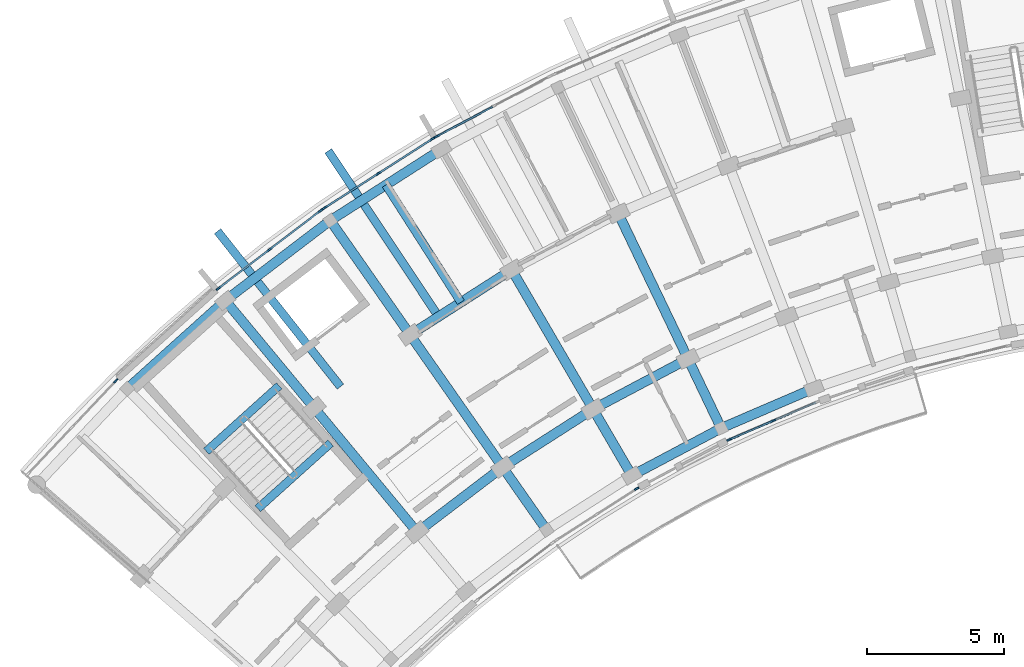
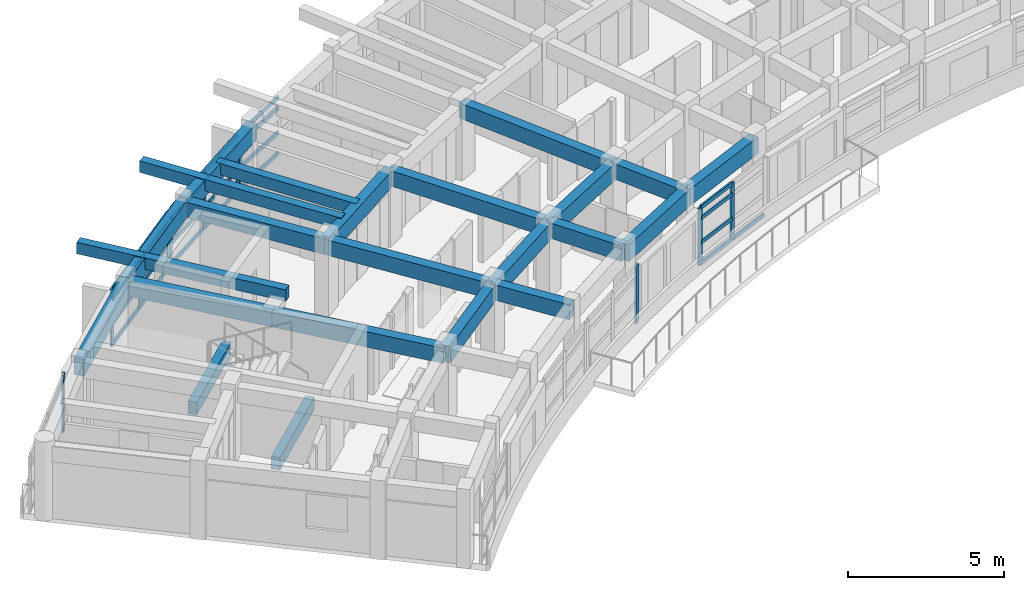
# One storey, part 4 of 54: 36 members, 23 beams, 6 elements without a shape of their own.
"""IFC4 building model written with IfcOpenShell, lengths in metres."""

import ifcopenshell
import ifcopenshell.guid

model = None  # the IFC model being written
_history = None  # IfcOwnerHistory: only IFC2X3 demands one
_inside = {}  # id of a spatial element -> (the spatial element, [elements in it])
_under = {}  # id of a project, library or spatial element -> (it, [spatial elements below it])
_declared = {}  # id of a project -> (the project, [libraries it declares])
_typed = {}  # id of a type object -> (the type object, [elements of that type])
_made_of = {}  # id of a material, layer set ... -> (it, [elements and type objects made of it])


def new_model(schema):
    """Start an empty IFC model of exactly this schema.

    Asked for "IFC4X3", IfcOpenShell would pick the latest addendum, in which some entities
    have other attributes; the version numbers below select the first issue.
    IFC2X3 requires an IfcOwnerHistory on every rooted entity: one is made here for all.
    """
    global model, _history
    if schema == "IFC4X3":
        model = ifcopenshell.file(schema_version=(4, 3, 0, 0))
    else:
        model = ifcopenshell.file(schema=schema)
    _inside.clear()
    _under.clear()
    _declared.clear()
    _typed.clear()
    _made_of.clear()
    _history = None
    if model.schema == "IFC2X3":
        org = make("IfcOrganization", Name="unknown")
        user = make(
            "IfcPersonAndOrganization",
            ThePerson=make("IfcPerson", FamilyName="unknown"),
            TheOrganization=org,
        )
        app = make(
            "IfcApplication",
            ApplicationDeveloper=org,
            Version="unknown",
            ApplicationFullName="unknown",
            ApplicationIdentifier="unknown",
        )
        _history = make(
            "IfcOwnerHistory",
            OwningUser=user,
            OwningApplication=app,
            ChangeAction="ADDED",
            CreationDate=0,
        )
    return model


def make(cls, **values):
    """One entity of the class cls with the attributes given. An attribute that is None is left unset."""
    return model.create_entity(
        cls, **{name: value for name, value in values.items() if value is not None}
    )


def rooted(cls, **values):
    """An entity with a GlobalId (a new one), such as an element, a storey or a relation."""
    return make(cls, GlobalId=ifcopenshell.guid.new(), OwnerHistory=_history, **values)


def si_unit(unit_type, name, prefix=None):
    """IfcSIUnit, for example si_unit("LENGTHUNIT", "METRE", prefix="MILLI")."""
    return make("IfcSIUnit", UnitType=unit_type, Prefix=prefix, Name=name)


def assignment(units):
    """IfcUnitAssignment: the units of a project."""
    return None if units is None else make("IfcUnitAssignment", Units=units)


def point(xyz):
    """IfcCartesianPoint."""
    return None if xyz is None else make("IfcCartesianPoint", Coordinates=xyz)


def direction(xyz):
    """IfcDirection."""
    return None if xyz is None else make("IfcDirection", DirectionRatios=xyz)


def frame(location, z_axis=None, x_axis=None):
    """IfcAxis2Placement3D, a coordinate frame: its origin and axes. An axis left out is left unset."""
    return make(
        "IfcAxis2Placement3D",
        Location=point(location),
        Axis=direction(z_axis),
        RefDirection=direction(x_axis),
    )


def frame_2d(location, x_axis=None):
    """IfcAxis2Placement2D, a coordinate frame in the plane: its origin and x axis."""
    return make(
        "IfcAxis2Placement2D", Location=point(location), RefDirection=direction(x_axis)
    )


def origin():
    """The frame at (0, 0, 0) with its axes left unset."""
    return frame((0.0, 0.0, 0.0))


def origin_2d():
    """The frame at (0, 0) in the plane with its x axis left unset."""
    return frame_2d((0.0, 0.0))


def place(relative_to, where):
    """IfcLocalPlacement: puts the frame where relative to a parent placement (None: the world)."""
    return make(
        "IfcLocalPlacement", PlacementRelTo=relative_to, RelativePlacement=where
    )


def context(
    kind, dimensions, precision=None, world=None, true_north=None, identifier=None
):
    """IfcGeometricRepresentationContext, for example the 3D "Model" context."""
    return make(
        "IfcGeometricRepresentationContext",
        ContextIdentifier=identifier,
        ContextType=kind,
        CoordinateSpaceDimension=dimensions,
        Precision=precision,
        WorldCoordinateSystem=world,
        TrueNorth=true_north,
    )


def subcontext(parent, identifier, kind, view, scale=None):
    """IfcGeometricRepresentationSubContext, for example "Body" below "Model"."""
    return make(
        "IfcGeometricRepresentationSubContext",
        ContextIdentifier=identifier,
        ContextType=kind,
        ParentContext=parent,
        TargetScale=scale,
        TargetView=view,
    )


def project(units=None, contexts=None):
    """IfcProject with its units and contexts."""
    return rooted(
        "IfcProject",
        Name="project",
        RepresentationContexts=contexts,
        UnitsInContext=assignment(units),
    )


def spatial(cls, under=None, at=None, **own):
    """A site, building, storey or space (cls), placed at a placement, below another one or the project."""
    s = rooted(cls, ObjectPlacement=at, **own)
    if under is not None:
        _under.setdefault(under.id(), (under, []))[1].append(s)
    return s


def profile(cls, at=None, kind="AREA", **sizes):
    """A parametric profile (cls). Its sizes go by their IFC names, for example OverallWidth=200.0."""
    return make(cls, ProfileType=kind, Position=at, **sizes)


def rectangle(**sizes):
    """IfcRectangleProfileDef."""
    return profile("IfcRectangleProfileDef", **sizes)


def extrude(swept, where, along, depth):
    """IfcExtrudedAreaSolid: the profile swept, set in the frame where, extruded along a direction by depth."""
    return make(
        "IfcExtrudedAreaSolid",
        SweptArea=swept,
        Position=where,
        ExtrudedDirection=direction(along),
        Depth=depth,
    )


def shape(context_of_items, identifier, shape_type, items):
    """IfcShapeRepresentation: the items that make up one representation, for example the "Body"."""
    return make(
        "IfcShapeRepresentation",
        ContextOfItems=context_of_items,
        RepresentationIdentifier=identifier,
        RepresentationType=shape_type,
        Items=items,
    )


def material(Name=None, Category=None):
    """IfcMaterial."""
    return make("IfcMaterial", Name=Name, Category=Category)


def material_profile(
    of_material, cross_section, Name=None, Category=None, Priority=None
):
    """IfcMaterialProfile: a cross section and its material."""
    return make(
        "IfcMaterialProfile",
        Name=Name,
        Material=of_material,
        Profile=cross_section,
        Priority=Priority,
        Category=Category,
    )


def profile_set(profiles, Name=None, composite=None):
    """IfcMaterialProfileSet."""
    return make(
        "IfcMaterialProfileSet",
        Name=Name,
        MaterialProfiles=profiles,
        CompositeProfile=composite,
    )


def made_of(thing, what):
    """Note that an element or type object is made of a material, layer set ...; save() writes the relation."""
    if what is not None:
        _made_of.setdefault(what.id(), (what, []))[1].append(thing)
    return thing


def type_object(cls, material=None, **own):
    """A type object (cls), such as IfcWallType, which elements share."""
    return made_of(rooted(cls, **own), material)


def element(
    cls,
    number,
    at=None,
    inside=None,
    cuts=None,
    type_object=None,
    material=None,
    context=None,
    identifier="Body",
    shape_type=None,
    held_by="IfcProductDefinitionShape",
    body=None,
    shapes=None,
    **own,
):
    """One element of the class cls, such as IfcWall. Its Tag is "e" and its number.

    at: its placement. inside: the storey or other place that contains it. cuts: it is an
    opening in that element (IfcRelVoidsElement). A single representation is given by context,
    identifier, shape_type and body (its items); several are given by shapes. held_by: the class
    of the entity that holds the representations. save() writes the other relations.
    """
    e = rooted(cls, Tag="e%d" % number, ObjectPlacement=at, **own)
    if body is not None:
        shapes = [shape(context, identifier, shape_type, body)]
    if shapes is not None:
        e.Representation = make(held_by, Representations=shapes)
    if inside is not None:
        _inside.setdefault(inside.id(), (inside, []))[1].append(e)
    if cuts is not None:
        rooted(
            "IfcRelVoidsElement", RelatingBuildingElement=cuts, RelatedOpeningElement=e
        )
    if type_object is not None:
        _typed.setdefault(type_object.id(), (type_object, []))[1].append(e)
    return made_of(e, material)


def aggregate(whole, parts):
    """IfcRelAggregates: a whole, such as a stair, and the parts it consists of."""
    return rooted("IfcRelAggregates", RelatingObject=whole, RelatedObjects=parts)


def save(model, path):
    """Write the relations noted so far, then the file.

    IfcRelAggregates (storeys below a building ...), IfcRelContainedInSpatialStructure (elements
    in a storey), IfcRelDefinesByType, IfcRelAssociatesMaterial and IfcRelDeclares: one each for
    every whole, place, type object, material and project.
    """
    for whole, parts in _under.values():
        aggregate(whole, parts)
    for where, things in _inside.values():
        rooted(
            "IfcRelContainedInSpatialStructure",
            RelatedElements=things,
            RelatingStructure=where,
        )
    for kind, things in _typed.values():
        rooted("IfcRelDefinesByType", RelatedObjects=things, RelatingType=kind)
    for what, things in _made_of.values():
        rooted("IfcRelAssociatesMaterial", RelatedObjects=things, RelatingMaterial=what)
    for by, libraries in _declared.values():
        rooted("IfcRelDeclares", RelatingContext=by, RelatedDefinitions=libraries)
    model.write(path)


model = new_model("IFC4")

# Units and contexts
model_context = context("Model", 3, precision=1e-05, world=origin(), true_north=direction((0.0, 1.0)))
body_context = subcontext(model_context, "Body", "Model", "MODEL_VIEW")
ifc_project = project(units=[si_unit("LENGTHUNIT", "METRE"), si_unit("AREAUNIT", "SQUARE_METRE"), si_unit("VOLUMEUNIT", "CUBIC_METRE"), si_unit("PLANEANGLEUNIT", "RADIAN"), si_unit("MASSUNIT", "GRAM", prefix="KILO")], contexts=[model_context])

# Site, building, storey
site_placement = place(None, origin())
site = spatial("IfcSite", under=ifc_project, at=site_placement, CompositionType="ELEMENT")
building_placement = place(site_placement, origin())
building = spatial("IfcBuilding", under=site, at=building_placement, Name="Zimvara Arc Housing Community", CompositionType="ELEMENT")
storey_placement = place(building_placement, frame((0.0, 0.0, 23.60009765625)))
storey = spatial("IfcBuildingStorey", under=building, at=storey_placement, Name="L07", CompositionType="ELEMENT", Elevation=23.60009765625)

# Beams
ifc_material_1 = material(Name="Concrete C40/50", Category="concrete")
ifc_material_profile_1 = material_profile(ifc_material_1, rectangle(XDim=0.300048828125, YDim=0.449951171875, at=origin_2d()), Name="RC 300x450")
ifc_profile_set_1 = profile_set([ifc_material_profile_1], Name="Concrete C40/50")
beam_type_1 = type_object("IfcBeamType", Name="BM-RC-300x450", PredefinedType="JOIST", material=ifc_profile_set_1)
beam_1_placement = place(storey_placement, frame((16.0224609375, 89.776123046875, 2.635009765625), z_axis=(-0.539052331508, 0.842272274206, 0.0), x_axis=(-0.842272274206, -0.539052331508, 0.0)))
element("IfcBeam", 1, at=beam_1_placement, inside=storey, type_object=beam_type_1, Name="bm:blkA:L07:joist:b3", PredefinedType="JOIST", context=body_context, shape_type="SweptSolid", body=[
    extrude(rectangle(XDim=0.300048828125, YDim=0.449951171875, at=origin_2d()), origin(), (0.0, 0.0, 1.0), 5.07568359375),
])
for number, where, z_axis, x_axis, name in (
    (2, (11.634033203125, 86.703857421875, 2.664794921875), (-0.620202196013, 0.784441990246, 0.0), (-0.784441990246, -0.620202196013, 0.0), "bm:blkA:L07:cant_out:b2"),
    (3, (15.188720703125, 89.285400390625, 2.664794921875), (-0.554114811637, 0.832440253426, 0.0), (-0.832440253426, -0.554114811637, 0.0), "bm:blkA:L07:cant_out:b3"),
):
    element("IfcBeam", number, at=place(storey_placement, frame(where, z_axis=z_axis, x_axis=x_axis)), inside=storey, type_object=beam_type_1, Name=name, PredefinedType="JOIST", context=body_context, shape_type="SweptSolid", body=[
        extrude(rectangle(XDim=0.300048828125, YDim=0.449951171875, at=origin_2d()), origin(), (0.0, 0.0, 1.0), 7.219970703125),
    ])
ifc_material_2 = material(Name="Concrete C40/50", Category="concrete")
ifc_material_profile_2 = material_profile(ifc_material_2, rectangle(XDim=0.300048828125, YDim=0.5, at=origin_2d()), Name="RC 300x500")
ifc_profile_set_2 = profile_set([ifc_material_profile_2], Name="Concrete C40/50")
beam_type_2 = type_object("IfcBeamType", Name="BM-RC-300x500", PredefinedType="BEAM", material=ifc_profile_set_2)
for number, where, z_axis, x_axis, name in (
    (4, (11.278076171875, 84.64697265625, -0.25), (-0.743362151162, -0.668889162881, 0.0), (0.668889162881, -0.743362151162, 0.0), "bm:stair_trim:ST-A1:L07:near"),
    (5, (9.39990234375, 86.734375, 1.2998046875), (-0.743362151162, -0.668889162881, 0.0), (0.668889162881, -0.743362151162, 0.0), "bm:stair_trim:ST-A1:L07:mid"),
):
    element("IfcBeam", number, at=place(storey_placement, frame(where, z_axis=z_axis, x_axis=x_axis)), inside=storey, type_object=beam_type_2, Name=name, PredefinedType="BEAM", context=body_context, shape_type="SweptSolid", body=[
        extrude(rectangle(XDim=0.300048828125, YDim=0.5, at=origin_2d()), origin(), (0.0, 0.0, 1.0), 3.570068359375),
    ])
ifc_material_3 = material(Name="Concrete C40/50", Category="concrete")
ifc_material_profile_3 = material_profile(ifc_material_3, rectangle(XDim=0.35009765625, YDim=0.60009765625, at=origin_2d()), Name="RC 350x600")
ifc_profile_set_3 = profile_set([ifc_material_profile_3], Name="Concrete C40/50")
beam_type_3 = type_object("IfcBeamType", Name="BM-RC-350x600", PredefinedType="BEAM", material=ifc_profile_set_3)
beam_2_placement = place(storey_placement, frame((14.428955078125, 81.401611328125, 2.559814453125), z_axis=(-0.637955964415, 0.770072845559, 0.0), x_axis=(-0.770072845559, -0.637955964415, 0.0)))
element("IfcBeam", 6, at=beam_2_placement, inside=storey, type_object=beam_type_3, Name="bm:blkA:L07:rad:b2:r12", PredefinedType="BEAM", context=body_context, shape_type="SweptSolid", body=[
    extrude(rectangle(XDim=0.35009765625, YDim=0.60009765625, at=origin_2d()), origin(), (0.0, 0.0, 1.0), 5.880126953125),
])
beam_3_placement = place(storey_placement, frame((10.677734375, 85.9296875, 2.559814453125), z_axis=(-0.637983669165, 0.77004989311, 0.0), x_axis=(-0.77004989311, -0.637983669165, 0.0)))
element("IfcBeam", 7, at=beam_3_placement, inside=storey, type_object=beam_type_3, Name="bm:blkA:L07:rad:b2:r23", PredefinedType="BEAM", context=body_context, shape_type="SweptSolid", body=[
    extrude(rectangle(XDim=0.35009765625, YDim=0.60009765625, at=origin_2d()), origin(), (0.0, 0.0, 1.0), 5.080078125),
])
beam_4_placement = place(storey_placement, frame((19.14599609375, 81.478271484375, 2.559814453125), z_axis=(-0.57297651105, 0.819571789281, 0.0), x_axis=(-0.819571789281, -0.57297651105, 0.0)))
element("IfcBeam", 8, at=beam_4_placement, inside=storey, type_object=beam_type_3, Name="bm:blkA:L07:rad:b3:r01", PredefinedType="BEAM", context=body_context, shape_type="SweptSolid", body=[
    extrude(rectangle(XDim=0.35009765625, YDim=0.60009765625, at=origin_2d()), origin(), (0.0, 0.0, 1.0), 2.7998046875),
])
beam_5_placement = place(storey_placement, frame((17.541748046875, 83.77294921875, 2.559814453125), z_axis=(-0.573027549978, 0.819536104736, 0.0), x_axis=(-0.819536104736, -0.573027549978, 0.0)))
element("IfcBeam", 9, at=beam_5_placement, inside=storey, type_object=beam_type_3, Name="bm:blkA:L07:rad:b3:r12", PredefinedType="BEAM", context=body_context, shape_type="SweptSolid", body=[
    extrude(rectangle(XDim=0.35009765625, YDim=0.60009765625, at=origin_2d()), origin(), (0.0, 0.0, 1.0), 5.8798828125),
])
beam_6_placement = place(storey_placement, frame((14.17236328125, 88.591796875, 2.559814453125), z_axis=(-0.573007469479, 0.819550144848, 0.0), x_axis=(-0.819550144848, -0.573007469479, 0.0)))
element("IfcBeam", 10, at=beam_6_placement, inside=storey, type_object=beam_type_3, Name="bm:blkA:L07:rad:b3:r23", PredefinedType="BEAM", context=body_context, shape_type="SweptSolid", body=[
    extrude(rectangle(XDim=0.35009765625, YDim=0.60009765625, at=origin_2d()), origin(), (0.0, 0.0, 1.0), 5.080078125),
])
beam_7_placement = place(storey_placement, frame((22.249267578125, 83.46435546875, 2.559814453125), z_axis=(-0.504239631668, 0.86356377521, 0.0), x_axis=(-0.86356377521, -0.504239631668, 0.0)))
element("IfcBeam", 11, at=beam_7_placement, inside=storey, type_object=beam_type_3, Name="bm:blkA:L07:rad:b4:r01", PredefinedType="BEAM", context=body_context, shape_type="SweptSolid", body=[
    extrude(rectangle(XDim=0.35009765625, YDim=0.60009765625, at=origin_2d()), origin(), (0.0, 0.0, 1.0), 2.800048828125),
])
beam_8_placement = place(storey_placement, frame((20.83740234375, 85.88232421875, 2.559814453125), z_axis=(-0.504219494781, 0.863575532934, 0.0), x_axis=(-0.863575532934, -0.504219494781, 0.0)))
element("IfcBeam", 12, at=beam_8_placement, inside=storey, type_object=beam_type_3, Name="bm:blkA:L07:rad:b4:r12", PredefinedType="BEAM", context=body_context, shape_type="SweptSolid", body=[
    extrude(rectangle(XDim=0.35009765625, YDim=0.60009765625, at=origin_2d()), origin(), (0.0, 0.0, 1.0), 5.880126953125),
])
beam_9_placement = place(storey_placement, frame((25.50439453125, 85.190673828125, 2.559814453125), z_axis=(-0.432118703138, 0.901816736593, 0.0), x_axis=(-0.901816736593, -0.432118703138, 0.0)))
element("IfcBeam", 13, at=beam_9_placement, inside=storey, type_object=beam_type_3, Name="bm:blkA:L07:rad:b5:r01", PredefinedType="BEAM", context=body_context, shape_type="SweptSolid", body=[
    extrude(rectangle(XDim=0.35009765625, YDim=0.60009765625, at=origin_2d()), origin(), (0.0, 0.0, 1.0), 2.800048828125),
])
beam_10_placement = place(storey_placement, frame((24.29443359375, 87.7158203125, 2.559814453125), z_axis=(-0.432069527705, 0.901840298073, 0.0), x_axis=(-0.901840298073, -0.432069527705, 0.0)))
element("IfcBeam", 14, at=beam_10_placement, inside=storey, type_object=beam_type_3, Name="bm:blkA:L07:rad:b5:r12", PredefinedType="BEAM", context=body_context, shape_type="SweptSolid", body=[
    extrude(rectangle(XDim=0.35009765625, YDim=0.60009765625, at=origin_2d()), origin(), (0.0, 0.0, 1.0), 5.8798828125),
])
ifc_material_4 = material(Name="Concrete C40/50", Category="concrete")
ifc_material_profile_4 = material_profile(ifc_material_4, rectangle(XDim=0.35009765625, YDim=0.64990234375, at=origin_2d()), Name="RC 350x650")
ifc_profile_set_4 = profile_set([ifc_material_profile_4], Name="Concrete C40/50")
beam_type_4 = type_object("IfcBeamType", Name="BM-RC-350x650", PredefinedType="BEAM", material=ifc_profile_set_4)
beam_11_placement = place(storey_placement, frame((22.249267578125, 83.46435546875, 2.534912109375), z_axis=(0.883449220086, 0.468526920815, 0.0), x_axis=(-0.468526920815, 0.883449220086, 0.0)))
element("IfcBeam", 15, at=beam_11_placement, inside=storey, type_object=beam_type_4, Name="bm:blkA:L07:chord:r0:b4", PredefinedType="BEAM", context=body_context, shape_type="SweptSolid", body=[
    extrude(rectangle(XDim=0.35009765625, YDim=0.64990234375, at=origin_2d()), origin(), (0.0, 0.0, 1.0), 3.6845703125),
])
beam_12_placement = place(storey_placement, frame((25.50439453125, 85.190673828125, 2.534912109375), z_axis=(0.918705736243, 0.394942742932, 0.0), x_axis=(-0.394942742932, 0.918705736243, 0.0)))
element("IfcBeam", 16, at=beam_12_placement, inside=storey, type_object=beam_type_4, Name="bm:blkA:L07:chord:r0:b5", PredefinedType="BEAM", context=body_context, shape_type="SweptSolid", body=[
    extrude(rectangle(XDim=0.35009765625, YDim=0.64990234375, at=origin_2d()), origin(), (0.0, 0.0, 1.0), 3.684326171875),
])
beam_13_placement = place(storey_placement, frame((14.428955078125, 81.401611328125, 2.534912109375), z_axis=(0.795470387579, 0.605992460749, 0.0), x_axis=(-0.605992460749, 0.795470387579, 0.0)))
element("IfcBeam", 17, at=beam_13_placement, inside=storey, type_object=beam_type_4, Name="bm:blkA:L07:chord:r1:b2", PredefinedType="BEAM", context=body_context, shape_type="SweptSolid", body=[
    extrude(rectangle(XDim=0.35009765625, YDim=0.64990234375, at=origin_2d()), origin(), (0.0, 0.0, 1.0), 3.9130859375),
])
beam_14_placement = place(storey_placement, frame((17.541748046875, 83.77294921875, 2.534912109375), z_axis=(0.842253269878, 0.539082024724, 0.0), x_axis=(-0.539082024724, 0.842253269878, 0.0)))
element("IfcBeam", 18, at=beam_14_placement, inside=storey, type_object=beam_type_4, Name="bm:blkA:L07:chord:r1:b3", PredefinedType="BEAM", context=body_context, shape_type="SweptSolid", body=[
    extrude(rectangle(XDim=0.35009765625, YDim=0.64990234375, at=origin_2d()), origin(), (0.0, 0.0, 1.0), 3.912841796875),
])
beam_15_placement = place(storey_placement, frame((20.83740234375, 85.88232421875, 2.534912109375), z_axis=(0.883438625159, 0.468546897948, 0.0), x_axis=(-0.468546897948, 0.883438625159, 0.0)))
element("IfcBeam", 19, at=beam_15_placement, inside=storey, type_object=beam_type_4, Name="bm:blkA:L07:chord:r1:b4", PredefinedType="BEAM", context=body_context, shape_type="SweptSolid", body=[
    extrude(rectangle(XDim=0.35009765625, YDim=0.64990234375, at=origin_2d()), origin(), (0.0, 0.0, 1.0), 3.9130859375),
])
beam_16_placement = place(storey_placement, frame((14.17236328125, 88.591796875, 2.534912109375), z_axis=(0.842242131326, 0.539099427025, 0.0), x_axis=(-0.539099427025, 0.842242131326, 0.0)))
element("IfcBeam", 20, at=beam_16_placement, inside=storey, type_object=beam_type_4, Name="bm:blkA:L07:chord:r2:b3", PredefinedType="BEAM", context=body_context, shape_type="SweptSolid", body=[
    extrude(rectangle(XDim=0.35009765625, YDim=0.64990234375, at=origin_2d()), origin(), (0.0, 0.0, 1.0), 4.393310546875),
])
beam_17_placement = place(storey_placement, frame((3.862548828125, 86.625732421875, 2.534912109375), z_axis=(0.743395133402, 0.668852506637, 0.0), x_axis=(-0.668852506637, 0.743395133402, 0.0)))
element("IfcBeam", 21, at=beam_17_placement, inside=storey, type_object=beam_type_4, Name="bm:blkA:L07:chord:r3:b1", PredefinedType="BEAM", context=body_context, shape_type="SweptSolid", body=[
    extrude(rectangle(XDim=0.35009765625, YDim=0.64990234375, at=origin_2d()), origin(), (0.0, 0.0, 1.0), 4.807861328125),
])
beam_18_placement = place(storey_placement, frame((7.436767578125, 89.841552734375, 2.534912109375), z_axis=(0.795480673672, 0.605978958228, 0.0), x_axis=(-0.605978958228, 0.795480673672, 0.0)))
element("IfcBeam", 22, at=beam_18_placement, inside=storey, type_object=beam_type_4, Name="bm:blkA:L07:chord:r3:b2", PredefinedType="BEAM", context=body_context, shape_type="SweptSolid", body=[
    extrude(rectangle(XDim=0.35009765625, YDim=0.64990234375, at=origin_2d()), origin(), (0.0, 0.0, 1.0), 4.80810546875),
])
beam_19_placement = place(storey_placement, frame((11.261474609375, 92.755126953125, 2.534912109375), z_axis=(0.842255724028, 0.539078190379, 0.0), x_axis=(-0.539078190379, 0.842255724028, 0.0)))
element("IfcBeam", 23, at=beam_19_placement, inside=storey, type_object=beam_type_4, Name="bm:blkA:L07:chord:r3:b3", PredefinedType="BEAM", context=body_context, shape_type="SweptSolid", body=[
    extrude(rectangle(XDim=0.35009765625, YDim=0.64990234375, at=origin_2d()), origin(), (0.0, 0.0, 1.0), 4.808349609375),
])

# Curtain wall, member
ifc_material_5 = material(Name="Anodised Aluminium AW-6063", Category="aluminium")
curtain_wall_type_1 = type_object("IfcCurtainWallType", Name="CW-SYS-04", PredefinedType="USERDEFINED", material=ifc_material_5)
curtain_wall_1_placement = place(storey_placement, origin())
curtain_wall_1 = element("IfcCurtainWall", 24, at=curtain_wall_1_placement, inside=storey, type_object=curtain_wall_type_1, Name="cw:blkA:L07:in:b3", ObjectType="CURTAIN WALL", PredefinedType="USERDEFINED")
ifc_material_6 = material(Name="Anodised Aluminium AW-6063", Category="aluminium")
ifc_material_profile_5 = material_profile(ifc_material_6, rectangle(XDim=0.06494140625, YDim=0.179931640625, at=origin_2d()), Name="ALU 65x180")
ifc_profile_set_5 = profile_set([ifc_material_profile_5], Name="Anodised Aluminium AW-6063")
member_type_1 = type_object("IfcMemberType", Name="CWM-65x150", PredefinedType="MULLION", material=ifc_profile_set_5)
member_1_placement = place(storey_placement, frame((22.423583984375, 82.982666015625, 0.0), z_axis=(0.0, 0.0, 1.0), x_axis=(-0.539064085203, 0.842264751752, 0.0)))
member_1 = element("IfcMember", 25, at=member_1_placement, type_object=member_type_1, Name="CW04 mullion 3", PredefinedType="MULLION", context=body_context, shape_type="SweptSolid", body=[
    extrude(rectangle(XDim=0.06494140625, YDim=0.179931640625, at=origin_2d()), origin(), (0.0, 0.0, 1.0), 2.25),
])
aggregate(curtain_wall_1, [member_1])

ifc_material_7 = material(Name="Anodised Aluminium AW-6063", Category="aluminium")
curtain_wall_type_2 = type_object("IfcCurtainWallType", Name="CW-SYS-07", PredefinedType="USERDEFINED", material=ifc_material_7)
curtain_wall_2_placement = place(storey_placement, origin())
curtain_wall_2 = element("IfcCurtainWall", 26, at=curtain_wall_2_placement, inside=storey, type_object=curtain_wall_type_2, Name="cw:blkA:L07:out:b0", ObjectType="CURTAIN WALL", PredefinedType="USERDEFINED")
ifc_material_8 = material(Name="Anodised Aluminium AW-6063", Category="aluminium")
ifc_material_profile_6 = material_profile(ifc_material_8, rectangle(XDim=0.06494140625, YDim=0.195068359375, at=origin_2d()), Name="ALU 65x195")
ifc_profile_set_6 = profile_set([ifc_material_profile_6], Name="Anodised Aluminium AW-6063")
member_type_2 = type_object("IfcMemberType", Name="CWM-65x180", PredefinedType="MULLION", material=ifc_profile_set_6)
member_2_placement = place(storey_placement, frame((3.44970703125, 86.916015625, 0.0), z_axis=(0.0, 0.0, 1.0), x_axis=(-0.727293647725, 0.686326416495, 0.0)))
member_2 = element("IfcMember", 27, at=member_2_placement, type_object=member_type_2, Name="CW07 mullion 3", PredefinedType="MULLION", context=body_context, shape_type="SweptSolid", body=[
    extrude(rectangle(XDim=0.06494140625, YDim=0.195068359375, at=origin_2d()), origin(), (0.0, 0.0, 1.0), 2.25),
])
aggregate(curtain_wall_2, [member_2])

# Curtain wall, members
ifc_material_9 = material(Name="Anodised Aluminium AW-6063", Category="aluminium")
curtain_wall_type_3 = type_object("IfcCurtainWallType", Name="CW-SYS-01", PredefinedType="USERDEFINED", material=ifc_material_9)
curtain_wall_3_placement = place(storey_placement, origin())
curtain_wall_3 = element("IfcCurtainWall", 28, at=curtain_wall_3_placement, inside=storey, type_object=curtain_wall_type_3, Name="cw:blkA:L07:out:b2", ObjectType="CURTAIN WALL", PredefinedType="USERDEFINED")
member_3_placement = place(storey_placement, frame((7.19140625, 90.28271484375, 0.0), z_axis=(0.0, 0.0, 1.0), x_axis=(-0.60598771987, 0.795473999177, 0.0)))
member_3 = element("IfcMember", 29, at=member_3_placement, type_object=member_type_2, Name="CW01 mullion 1", PredefinedType="MULLION", context=body_context, shape_type="SweptSolid", body=[
    extrude(rectangle(XDim=0.06494140625, YDim=0.195068359375, at=origin_2d()), origin(), (0.0, 0.0, 1.0), 2.25),
])
member_4_placement = place(storey_placement, frame((9.04638671875, 91.69580078125, 0.0), z_axis=(0.0, 0.0, 1.0), x_axis=(-0.60598771987, 0.795473999177, 0.0)))
member_4 = element("IfcMember", 30, at=member_4_placement, type_object=member_type_2, Name="CW01 mullion 2", PredefinedType="MULLION", context=body_context, shape_type="SweptSolid", body=[
    extrude(rectangle(XDim=0.06494140625, YDim=0.195068359375, at=origin_2d()), origin(), (0.0, 0.0, 1.0), 2.25),
])
member_5_placement = place(storey_placement, frame((10.9013671875, 93.10888671875, 0.0), z_axis=(0.0, 0.0, 1.0), x_axis=(-0.60598771987, 0.795473999177, 0.0)))
member_5 = element("IfcMember", 31, at=member_5_placement, type_object=member_type_2, Name="CW01 mullion 3", PredefinedType="MULLION", context=body_context, shape_type="SweptSolid", body=[
    extrude(rectangle(XDim=0.06494140625, YDim=0.195068359375, at=origin_2d()), origin(), (0.0, 0.0, 1.0), 2.25),
])

ifc_material_10 = material(Name="Anodised Aluminium AW-6063", Category="aluminium")
curtain_wall_type_4 = type_object("IfcCurtainWallType", Name="CW-SYS-03", PredefinedType="USERDEFINED", material=ifc_material_10)
curtain_wall_4_placement = place(storey_placement, origin())
curtain_wall_4 = element("IfcCurtainWall", 32, at=curtain_wall_4_placement, inside=storey, type_object=curtain_wall_type_4, Name="cw:blkA:L07:out:b3", ObjectType="CURTAIN WALL", PredefinedType="USERDEFINED")
member_6_placement = place(storey_placement, frame((11.052978515625, 93.21484375, 0.0), z_axis=(0.0, 0.0, 1.0), x_axis=(-0.539064617721, 0.842264410931, 0.0)))
member_6 = element("IfcMember", 33, at=member_6_placement, type_object=member_type_2, Name="CW03 mullion 1", PredefinedType="MULLION", context=body_context, shape_type="SweptSolid", body=[
    extrude(rectangle(XDim=0.06494140625, YDim=0.195068359375, at=origin_2d()), origin(), (0.0, 0.0, 1.0), 2.25),
])
member_7_placement = place(storey_placement, frame((13.01708984375, 94.471923828125, 0.0), z_axis=(0.0, 0.0, 1.0), x_axis=(-0.539064617721, 0.842264410931, 0.0)))
member_7 = element("IfcMember", 34, at=member_7_placement, type_object=member_type_2, Name="CW03 mullion 2", PredefinedType="MULLION", context=body_context, shape_type="SweptSolid", body=[
    extrude(rectangle(XDim=0.06494140625, YDim=0.195068359375, at=origin_2d()), origin(), (0.0, 0.0, 1.0), 2.25),
])
member_8_placement = place(storey_placement, frame((14.981201171875, 95.72900390625, 0.0), z_axis=(0.0, 0.0, 1.0), x_axis=(-0.539064617721, 0.842264410931, 0.0)))
member_8 = element("IfcMember", 35, at=member_8_placement, type_object=member_type_2, Name="CW03 mullion 3", PredefinedType="MULLION", context=body_context, shape_type="SweptSolid", body=[
    extrude(rectangle(XDim=0.06494140625, YDim=0.195068359375, at=origin_2d()), origin(), (0.0, 0.0, 1.0), 2.25),
])

# Curtain wall, member
ifc_material_11 = material(Name="Anodised Aluminium AW-6063", Category="aluminium")
curtain_wall_type_5 = type_object("IfcCurtainWallType", Name="CW-SYS-05", PredefinedType="USERDEFINED", material=ifc_material_11)
curtain_wall_5_placement = place(storey_placement, origin())
curtain_wall_5 = element("IfcCurtainWall", 36, at=curtain_wall_5_placement, inside=storey, type_object=curtain_wall_type_5, Name="cw:blkA:L07:out:b4", ObjectType="CURTAIN WALL", PredefinedType="USERDEFINED")
member_9_placement = place(storey_placement, frame((15.140869140625, 95.822265625, 0.0), z_axis=(0.0, 0.0, 1.0), x_axis=(-0.468546917761, 0.883438614651, 0.0)))
member_9 = element("IfcMember", 37, at=member_9_placement, type_object=member_type_2, Name="CW05 mullion 1", PredefinedType="MULLION", context=body_context, shape_type="SweptSolid", body=[
    extrude(rectangle(XDim=0.06494140625, YDim=0.195068359375, at=origin_2d()), origin(), (0.0, 0.0, 1.0), 2.25),
])

# Curtain wall, members
curtain_wall_6_placement = place(storey_placement, origin())
curtain_wall_6 = element("IfcCurtainWall", 38, at=curtain_wall_6_placement, inside=storey, type_object=curtain_wall_type_2, Name="cw:blkA:L07:in:b5", ObjectType="CURTAIN WALL", PredefinedType="USERDEFINED")
member_10_placement = place(storey_placement, frame((25.805419921875, 84.7763671875, 0.0), z_axis=(0.0, 0.0, 1.0), x_axis=(-0.394904493375, 0.918722178415, 0.0)))
member_10 = element("IfcMember", 39, at=member_10_placement, type_object=member_type_2, Name="CW07 mullion 1", PredefinedType="MULLION", context=body_context, shape_type="SweptSolid", body=[
    extrude(rectangle(XDim=0.06494140625, YDim=0.195068359375, at=origin_2d()), origin(), (0.0, 0.0, 1.0), 2.25),
])
member_11_placement = place(storey_placement, frame((27.39404296875, 85.459228515625, 0.0), z_axis=(0.0, 0.0, 1.0), x_axis=(-0.394904493375, 0.918722178415, 0.0)))
member_11 = element("IfcMember", 40, at=member_11_placement, type_object=member_type_2, Name="CW07 mullion 2", PredefinedType="MULLION", context=body_context, shape_type="SweptSolid", body=[
    extrude(rectangle(XDim=0.06494140625, YDim=0.195068359375, at=origin_2d()), origin(), (0.0, 0.0, 1.0), 2.25),
])

# Member
ifc_material_12 = material(Name="Anodised Aluminium AW-6063", Category="aluminium")
ifc_material_profile_7 = material_profile(ifc_material_12, rectangle(XDim=0.06494140625, YDim=0.155029296875, at=origin_2d()), Name="ALU 65x155")
ifc_profile_set_7 = profile_set([ifc_material_profile_7], Name="Anodised Aluminium AW-6063")
member_type_3 = type_object("IfcMemberType", Name="CWT-65x140", PredefinedType="USERDEFINED", material=ifc_profile_set_7)
member_12_placement = place(storey_placement, frame((7.21728515625, 90.302490234375, 0.032470703125), z_axis=(0.795505886513, 0.605945859399, 0.0), x_axis=(-0.605945859399, 0.795505886513, 0.0)))
member_12 = element("IfcMember", 41, at=member_12_placement, type_object=member_type_3, Name="CW01 transom 1.1", ObjectType="TRANSOM", PredefinedType="USERDEFINED", context=body_context, shape_type="SweptSolid", body=[
    extrude(rectangle(XDim=0.06494140625, YDim=0.155029296875, at=origin_2d()), origin(), (0.0, 0.0, 1.0), 2.266845703125),
])

member_13_placement = place(storey_placement, frame((7.21728515625, 90.302490234375, 0.849853515625), z_axis=(0.795505886513, 0.605945859399, 0.0), x_axis=(-0.605945859399, 0.795505886513, 0.0)))
member_13 = element("IfcMember", 42, at=member_13_placement, type_object=member_type_3, Name="CW01 transom 1.2", ObjectType="TRANSOM", PredefinedType="USERDEFINED", context=body_context, shape_type="SweptSolid", body=[
    extrude(rectangle(XDim=0.06494140625, YDim=0.155029296875, at=origin_2d()), origin(), (0.0, 0.0, 1.0), 2.266845703125),
])

member_14_placement = place(storey_placement, frame((7.21728515625, 90.302490234375, 1.7998046875), z_axis=(0.795505886513, 0.605945859399, 0.0), x_axis=(-0.605945859399, 0.795505886513, 0.0)))
member_14 = element("IfcMember", 43, at=member_14_placement, type_object=member_type_3, Name="CW01 transom 1.3", ObjectType="TRANSOM", PredefinedType="USERDEFINED", context=body_context, shape_type="SweptSolid", body=[
    extrude(rectangle(XDim=0.06494140625, YDim=0.155029296875, at=origin_2d()), origin(), (0.0, 0.0, 1.0), 2.266845703125),
])

member_15_placement = place(storey_placement, frame((7.21728515625, 90.302490234375, 2.21728515625), z_axis=(0.795505886513, 0.605945859399, 0.0), x_axis=(-0.605945859399, 0.795505886513, 0.0)))
member_15 = element("IfcMember", 44, at=member_15_placement, type_object=member_type_3, Name="CW01 transom 1.4", ObjectType="TRANSOM", PredefinedType="USERDEFINED", context=body_context, shape_type="SweptSolid", body=[
    extrude(rectangle(XDim=0.06494140625, YDim=0.155029296875, at=origin_2d()), origin(), (0.0, 0.0, 1.0), 2.266845703125),
])

member_16_placement = place(storey_placement, frame((9.072265625, 91.715576171875, 0.032470703125), z_axis=(0.795453969776, 0.606014011363, 0.0), x_axis=(-0.606014011363, 0.795453969776, 0.0)))
member_16 = element("IfcMember", 45, at=member_16_placement, type_object=member_type_3, Name="CW01 transom 2.1", ObjectType="TRANSOM", PredefinedType="USERDEFINED", context=body_context, shape_type="SweptSolid", body=[
    extrude(rectangle(XDim=0.06494140625, YDim=0.155029296875, at=origin_2d()), origin(), (0.0, 0.0, 1.0), 2.266845703125),
])

member_17_placement = place(storey_placement, frame((9.072265625, 91.715576171875, 0.849853515625), z_axis=(0.795453969776, 0.606014011363, 0.0), x_axis=(-0.606014011363, 0.795453969776, 0.0)))
member_17 = element("IfcMember", 46, at=member_17_placement, type_object=member_type_3, Name="CW01 transom 2.2", ObjectType="TRANSOM", PredefinedType="USERDEFINED", context=body_context, shape_type="SweptSolid", body=[
    extrude(rectangle(XDim=0.06494140625, YDim=0.155029296875, at=origin_2d()), origin(), (0.0, 0.0, 1.0), 2.266845703125),
])

member_18_placement = place(storey_placement, frame((9.072265625, 91.715576171875, 1.7998046875), z_axis=(0.795453969776, 0.606014011363, 0.0), x_axis=(-0.606014011363, 0.795453969776, 0.0)))
member_18 = element("IfcMember", 47, at=member_18_placement, type_object=member_type_3, Name="CW01 transom 2.3", ObjectType="TRANSOM", PredefinedType="USERDEFINED", context=body_context, shape_type="SweptSolid", body=[
    extrude(rectangle(XDim=0.06494140625, YDim=0.155029296875, at=origin_2d()), origin(), (0.0, 0.0, 1.0), 2.266845703125),
])

member_19_placement = place(storey_placement, frame((9.072265625, 91.715576171875, 2.21728515625), z_axis=(0.795453969776, 0.606014011363, 0.0), x_axis=(-0.606014011363, 0.795453969776, 0.0)))
member_19 = element("IfcMember", 48, at=member_19_placement, type_object=member_type_3, Name="CW01 transom 2.4", ObjectType="TRANSOM", PredefinedType="USERDEFINED", context=body_context, shape_type="SweptSolid", body=[
    extrude(rectangle(XDim=0.06494140625, YDim=0.155029296875, at=origin_2d()), origin(), (0.0, 0.0, 1.0), 2.266845703125),
])

aggregate(curtain_wall_3, [member_3, member_4, member_5, member_12, member_13, member_14, member_15, member_16, member_17, member_18, member_19])

member_20_placement = place(storey_placement, frame((11.080322265625, 93.232421875, 0.032470703125), z_axis=(0.842292914806, 0.539020079095, 0.0), x_axis=(-0.539020079095, 0.842292914806, 0.0)))
member_20 = element("IfcMember", 49, at=member_20_placement, type_object=member_type_3, Name="CW03 transom 1.1", ObjectType="TRANSOM", PredefinedType="USERDEFINED", context=body_context, shape_type="SweptSolid", body=[
    extrude(rectangle(XDim=0.06494140625, YDim=0.155029296875, at=origin_2d()), origin(), (0.0, 0.0, 1.0), 2.266845703125),
])

member_21_placement = place(storey_placement, frame((11.080322265625, 93.232421875, 0.849853515625), z_axis=(0.842292914806, 0.539020079095, 0.0), x_axis=(-0.539020079095, 0.842292914806, 0.0)))
member_21 = element("IfcMember", 50, at=member_21_placement, type_object=member_type_3, Name="CW03 transom 1.2", ObjectType="TRANSOM", PredefinedType="USERDEFINED", context=body_context, shape_type="SweptSolid", body=[
    extrude(rectangle(XDim=0.06494140625, YDim=0.155029296875, at=origin_2d()), origin(), (0.0, 0.0, 1.0), 2.266845703125),
])

member_22_placement = place(storey_placement, frame((11.080322265625, 93.232421875, 1.7998046875), z_axis=(0.842292914806, 0.539020079095, 0.0), x_axis=(-0.539020079095, 0.842292914806, 0.0)))
member_22 = element("IfcMember", 51, at=member_22_placement, type_object=member_type_3, Name="CW03 transom 1.3", ObjectType="TRANSOM", PredefinedType="USERDEFINED", context=body_context, shape_type="SweptSolid", body=[
    extrude(rectangle(XDim=0.06494140625, YDim=0.155029296875, at=origin_2d()), origin(), (0.0, 0.0, 1.0), 2.266845703125),
])

member_23_placement = place(storey_placement, frame((11.080322265625, 93.232421875, 2.21728515625), z_axis=(0.842292914806, 0.539020079095, 0.0), x_axis=(-0.539020079095, 0.842292914806, 0.0)))
member_23 = element("IfcMember", 52, at=member_23_placement, type_object=member_type_3, Name="CW03 transom 1.4", ObjectType="TRANSOM", PredefinedType="USERDEFINED", context=body_context, shape_type="SweptSolid", body=[
    extrude(rectangle(XDim=0.06494140625, YDim=0.155029296875, at=origin_2d()), origin(), (0.0, 0.0, 1.0), 2.266845703125),
])

member_24_placement = place(storey_placement, frame((13.04443359375, 94.489501953125, 0.032470703125), z_axis=(0.842292914806, 0.539020079095, 0.0), x_axis=(-0.539020079095, 0.842292914806, 0.0)))
member_24 = element("IfcMember", 53, at=member_24_placement, type_object=member_type_3, Name="CW03 transom 2.1", ObjectType="TRANSOM", PredefinedType="USERDEFINED", context=body_context, shape_type="SweptSolid", body=[
    extrude(rectangle(XDim=0.06494140625, YDim=0.155029296875, at=origin_2d()), origin(), (0.0, 0.0, 1.0), 2.266845703125),
])

member_25_placement = place(storey_placement, frame((13.04443359375, 94.489501953125, 0.849853515625), z_axis=(0.842292914806, 0.539020079095, 0.0), x_axis=(-0.539020079095, 0.842292914806, 0.0)))
member_25 = element("IfcMember", 54, at=member_25_placement, type_object=member_type_3, Name="CW03 transom 2.2", ObjectType="TRANSOM", PredefinedType="USERDEFINED", context=body_context, shape_type="SweptSolid", body=[
    extrude(rectangle(XDim=0.06494140625, YDim=0.155029296875, at=origin_2d()), origin(), (0.0, 0.0, 1.0), 2.266845703125),
])

member_26_placement = place(storey_placement, frame((13.04443359375, 94.489501953125, 1.7998046875), z_axis=(0.842292914806, 0.539020079095, 0.0), x_axis=(-0.539020079095, 0.842292914806, 0.0)))
member_26 = element("IfcMember", 55, at=member_26_placement, type_object=member_type_3, Name="CW03 transom 2.3", ObjectType="TRANSOM", PredefinedType="USERDEFINED", context=body_context, shape_type="SweptSolid", body=[
    extrude(rectangle(XDim=0.06494140625, YDim=0.155029296875, at=origin_2d()), origin(), (0.0, 0.0, 1.0), 2.266845703125),
])

member_27_placement = place(storey_placement, frame((13.04443359375, 94.489501953125, 2.21728515625), z_axis=(0.842292914806, 0.539020079095, 0.0), x_axis=(-0.539020079095, 0.842292914806, 0.0)))
member_27 = element("IfcMember", 56, at=member_27_placement, type_object=member_type_3, Name="CW03 transom 2.4", ObjectType="TRANSOM", PredefinedType="USERDEFINED", context=body_context, shape_type="SweptSolid", body=[
    extrude(rectangle(XDim=0.06494140625, YDim=0.155029296875, at=origin_2d()), origin(), (0.0, 0.0, 1.0), 2.266845703125),
])

aggregate(curtain_wall_4, [member_6, member_7, member_8, member_20, member_21, member_22, member_23, member_24, member_25, member_26, member_27])

member_28_placement = place(storey_placement, frame((15.16943359375, 95.83740234375, 0.032470703125), z_axis=(0.883420900208, 0.468580316568, 0.0), x_axis=(-0.468580316568, 0.883420900208, 0.0)))
member_28 = element("IfcMember", 57, at=member_28_placement, type_object=member_type_3, Name="CW05 transom 1.1", ObjectType="TRANSOM", PredefinedType="USERDEFINED", context=body_context, shape_type="SweptSolid", body=[
    extrude(rectangle(XDim=0.06494140625, YDim=0.155029296875, at=origin_2d()), origin(), (0.0, 0.0, 1.0), 2.266845703125),
])

member_29_placement = place(storey_placement, frame((15.16943359375, 95.83740234375, 0.849853515625), z_axis=(0.883420900208, 0.468580316568, 0.0), x_axis=(-0.468580316568, 0.883420900208, 0.0)))
member_29 = element("IfcMember", 58, at=member_29_placement, type_object=member_type_3, Name="CW05 transom 1.2", ObjectType="TRANSOM", PredefinedType="USERDEFINED", context=body_context, shape_type="SweptSolid", body=[
    extrude(rectangle(XDim=0.06494140625, YDim=0.155029296875, at=origin_2d()), origin(), (0.0, 0.0, 1.0), 2.266845703125),
])

member_30_placement = place(storey_placement, frame((15.16943359375, 95.83740234375, 1.7998046875), z_axis=(0.883420900208, 0.468580316568, 0.0), x_axis=(-0.468580316568, 0.883420900208, 0.0)))
member_30 = element("IfcMember", 59, at=member_30_placement, type_object=member_type_3, Name="CW05 transom 1.3", ObjectType="TRANSOM", PredefinedType="USERDEFINED", context=body_context, shape_type="SweptSolid", body=[
    extrude(rectangle(XDim=0.06494140625, YDim=0.155029296875, at=origin_2d()), origin(), (0.0, 0.0, 1.0), 2.266845703125),
])

member_31_placement = place(storey_placement, frame((15.16943359375, 95.83740234375, 2.21728515625), z_axis=(0.883420900208, 0.468580316568, 0.0), x_axis=(-0.468580316568, 0.883420900208, 0.0)))
member_31 = element("IfcMember", 60, at=member_31_placement, type_object=member_type_3, Name="CW05 transom 1.4", ObjectType="TRANSOM", PredefinedType="USERDEFINED", context=body_context, shape_type="SweptSolid", body=[
    extrude(rectangle(XDim=0.06494140625, YDim=0.155029296875, at=origin_2d()), origin(), (0.0, 0.0, 1.0), 2.266845703125),
])

aggregate(curtain_wall_5, [member_9, member_28, member_29, member_30, member_31])

member_32_placement = place(storey_placement, frame((25.835205078125, 84.7890625, 0.032470703125), z_axis=(0.918727202972, 0.394892803832, 0.0), x_axis=(-0.394892803832, 0.918727202972, 0.0)))
member_32 = element("IfcMember", 61, at=member_32_placement, type_object=member_type_3, Name="CW07 transom 1.1", ObjectType="TRANSOM", PredefinedType="USERDEFINED", context=body_context, shape_type="SweptSolid", body=[
    extrude(rectangle(XDim=0.06494140625, YDim=0.155029296875, at=origin_2d()), origin(), (0.0, 0.0, 1.0), 1.664306640625),
])

member_33_placement = place(storey_placement, frame((25.835205078125, 84.7890625, 0.849853515625), z_axis=(0.918727202972, 0.394892803832, 0.0), x_axis=(-0.394892803832, 0.918727202972, 0.0)))
member_33 = element("IfcMember", 62, at=member_33_placement, type_object=member_type_3, Name="CW07 transom 1.2", ObjectType="TRANSOM", PredefinedType="USERDEFINED", context=body_context, shape_type="SweptSolid", body=[
    extrude(rectangle(XDim=0.06494140625, YDim=0.155029296875, at=origin_2d()), origin(), (0.0, 0.0, 1.0), 1.664306640625),
])

member_34_placement = place(storey_placement, frame((25.835205078125, 84.7890625, 1.7998046875), z_axis=(0.918727202972, 0.394892803832, 0.0), x_axis=(-0.394892803832, 0.918727202972, 0.0)))
member_34 = element("IfcMember", 63, at=member_34_placement, type_object=member_type_3, Name="CW07 transom 1.3", ObjectType="TRANSOM", PredefinedType="USERDEFINED", context=body_context, shape_type="SweptSolid", body=[
    extrude(rectangle(XDim=0.06494140625, YDim=0.155029296875, at=origin_2d()), origin(), (0.0, 0.0, 1.0), 1.664306640625),
])

member_35_placement = place(storey_placement, frame((25.835205078125, 84.7890625, 2.21728515625), z_axis=(0.918727202972, 0.394892803832, 0.0), x_axis=(-0.394892803832, 0.918727202972, 0.0)))
member_35 = element("IfcMember", 64, at=member_35_placement, type_object=member_type_3, Name="CW07 transom 1.4", ObjectType="TRANSOM", PredefinedType="USERDEFINED", context=body_context, shape_type="SweptSolid", body=[
    extrude(rectangle(XDim=0.06494140625, YDim=0.155029296875, at=origin_2d()), origin(), (0.0, 0.0, 1.0), 1.664306640625),
])

member_36_placement = place(storey_placement, frame((27.423828125, 85.471923828125, 0.032470703125), z_axis=(0.918673978315, 0.395016609229, 0.0), x_axis=(-0.395016609229, 0.918673978315, 0.0)))
member_36 = element("IfcMember", 65, at=member_36_placement, type_object=member_type_3, Name="CW07 transom 2.1", ObjectType="TRANSOM", PredefinedType="USERDEFINED", context=body_context, shape_type="SweptSolid", body=[
    extrude(rectangle(XDim=0.06494140625, YDim=0.155029296875, at=origin_2d()), origin(), (0.0, 0.0, 1.0), 1.664306640625),
])

aggregate(curtain_wall_6, [member_10, member_11, member_32, member_33, member_34, member_35, member_36])

save(model, "model.ifc")
